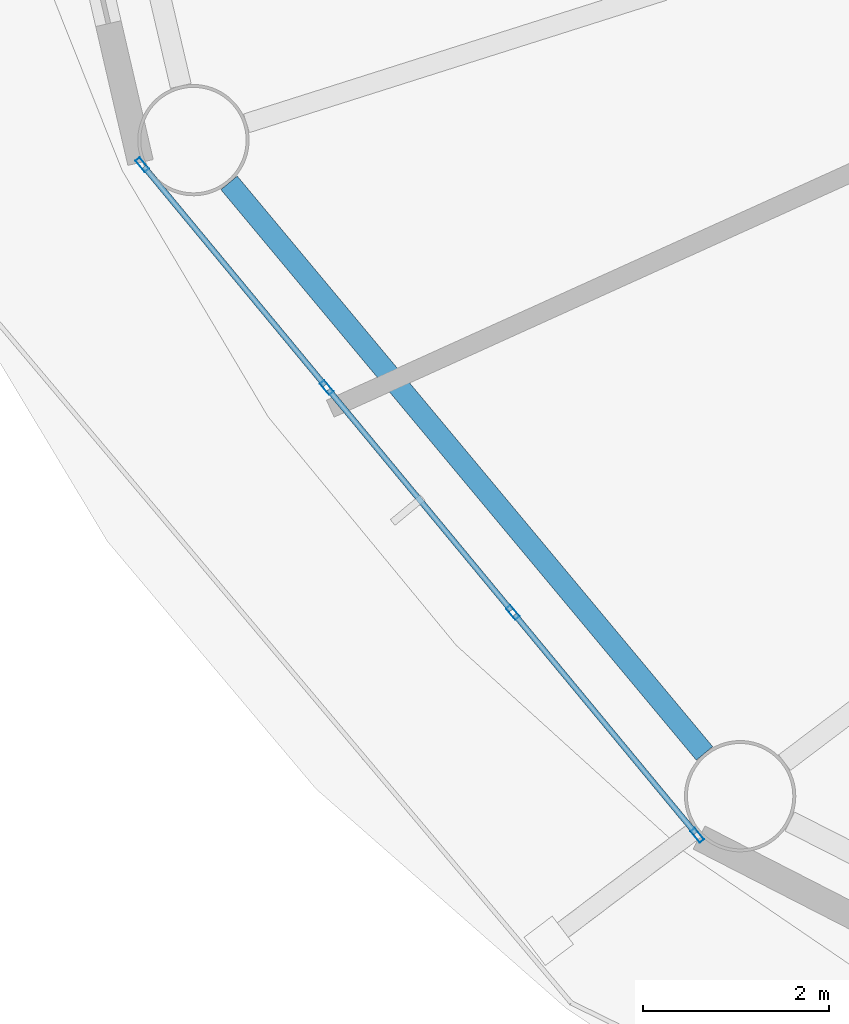
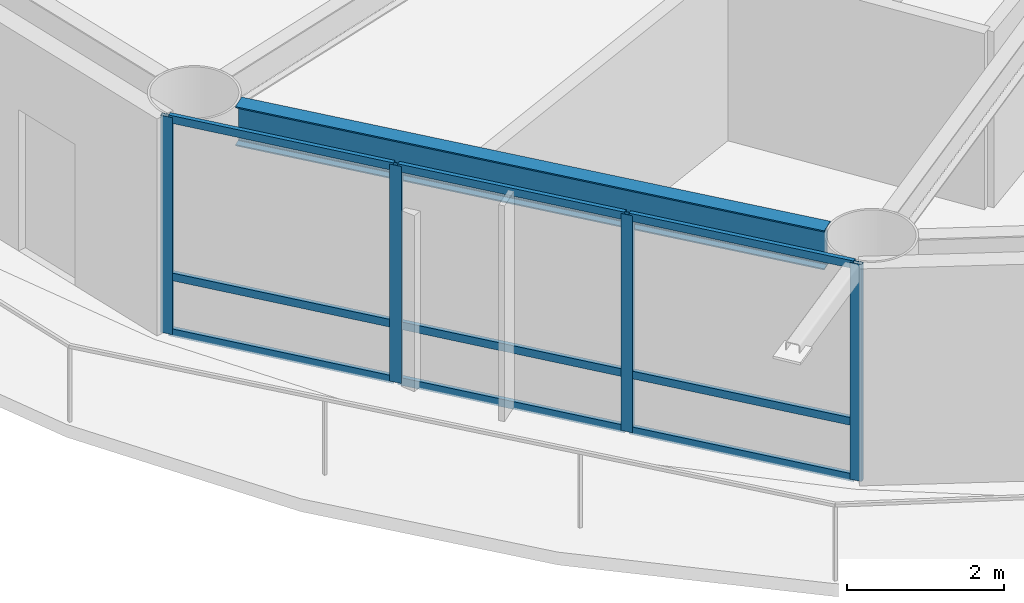
# One storey, part 2 of 24: 13 members, 1 beam, 1 element without a shape of its own.
"""IFC4 building model written with IfcOpenShell, lengths in metres."""

from ifc_helpers import new_model, si_unit, direction, frame, origin, origin_2d, place, context, subcontext, project, spatial, hollow_rectangle, i_section, extrude, material, layer, layer_set, material_profile, profile_set, type_object, element, aggregate, save


model = new_model("IFC4")

# Units and contexts
model_context = context("Model", 3, precision=1e-05, world=origin(), true_north=direction((0.0, 1.0)))
body_context = subcontext(model_context, "Body", "Model", "MODEL_VIEW")
ifc_project = project(units=[si_unit("LENGTHUNIT", "METRE"), si_unit("AREAUNIT", "SQUARE_METRE"), si_unit("VOLUMEUNIT", "CUBIC_METRE"), si_unit("PLANEANGLEUNIT", "RADIAN"), si_unit("MASSUNIT", "GRAM", prefix="KILO")], contexts=[model_context])

# Site, building, storey
site_placement = place(None, origin())
site = spatial("IfcSite", under=ifc_project, at=site_placement, CompositionType="ELEMENT")
building_placement = place(site_placement, origin())
building = spatial("IfcBuilding", under=site, at=building_placement, Name="Sarneth Arch Tower", CompositionType="ELEMENT")
storey_placement = place(building_placement, frame((0.0, 0.0, 116.39990234375)))
storey = spatial("IfcBuildingStorey", under=building, at=storey_placement, Name="L29", CompositionType="ELEMENT", Elevation=116.39990234375)

# Beam
ifc_material_1 = material(Name="Steel S355", Category="steel")
ifc_material_profile_1 = material_profile(ifc_material_1, i_section(OverallWidth=0.22900390625, OverallDepth=0.612060546875, WebThickness=0.011962890625, FlangeThickness=0.01953125, FilletRadius=0.01904296875, at=origin_2d()), Name="W610x125")
ifc_profile_set_1 = profile_set([ifc_material_profile_1], Name="Steel S355")
beam_type = type_object("IfcBeamType", Name="BM-SPAN-610C", PredefinedType="SPANDREL", material=ifc_profile_set_1)
beam_placement = place(storey_placement, frame((22.093017578125, 33.196533203125, 3.07421875), z_axis=(0.640163403463, -0.768238775946, 0.0), x_axis=(0.768238775946, 0.640163403463, 0.0)))
element("IfcBeam", 1, at=beam_placement, inside=storey, type_object=beam_type, Name="L29 Perimeter spandrel beam 10", PredefinedType="SPANDREL", context=body_context, shape_type="SweptSolid", body=[
    extrude(i_section(OverallWidth=0.22900390625, OverallDepth=0.612060546875, WebThickness=0.011962890625, FlangeThickness=0.01953125, FilletRadius=0.01904296875, at=origin_2d()), origin(), (0.0, 0.0, 1.0), 8.006103515625),
])

# Curtain wall, members
ifc_material_2 = material(Name="Anodised aluminium Type AA25 and solar-control low-e laminated IGU", Category="aluminium")
ifc_layer = layer(ifc_material_2, 0.159912109375)
ifc_layer_set = layer_set([ifc_layer], Name="Anodised aluminium Type AA25 and solar-control low-e laminated IGU")
curtain_wall_type = type_object("IfcCurtainWallType", Name="CW-HOTEL-MID", PredefinedType="NOTDEFINED", material=ifc_layer_set)
curtain_wall_placement = place(storey_placement, origin())
curtain_wall = element("IfcCurtainWall", 2, at=curtain_wall_placement, inside=storey, type_object=curtain_wall_type, Name="L29 Unitised curtain wall facet 10", PredefinedType="NOTDEFINED")
ifc_material_3 = material(Name="Anodised Aluminium 6063-T6", Category="aluminium")
ifc_material_profile_2 = material_profile(ifc_material_3, hollow_rectangle(XDim=0.06005859375, YDim=0.159912109375, WallThickness=0.00390625, at=origin_2d()), Name="AL-MULL-160x60x4")
ifc_profile_set_2 = profile_set([ifc_material_profile_2], Name="Anodised Aluminium 6063-T6")
member_type_1 = type_object("IfcMemberType", Name="CW-MULLION", PredefinedType="MULLION", material=ifc_profile_set_2)
member_1_placement = place(storey_placement, frame((21.15771484375, 33.393310546875, 0.0), z_axis=(0.0, 0.0, 1.0), x_axis=(0.770437787363, 0.637515188684, 0.0)))
member_1 = element("IfcMember", 3, at=member_1_placement, type_object=member_type_1, Name="CW-SYS-4 mullion 1", PredefinedType="MULLION", context=body_context, shape_type="SweptSolid", body=[
    extrude(hollow_rectangle(XDim=0.06005859375, YDim=0.159912109375, WallThickness=0.00390625, at=origin_2d()), origin(), (0.0, 0.0, 1.0), 3.380126953125),
])
member_2_placement = place(storey_placement, frame((23.145751953125, 30.99072265625, 0.0), z_axis=(0.0, 0.0, 1.0), x_axis=(0.770437787363, 0.637515188684, 0.0)))
member_2 = element("IfcMember", 4, at=member_2_placement, type_object=member_type_1, Name="CW-SYS-4 mullion 2", PredefinedType="MULLION", context=body_context, shape_type="SweptSolid", body=[
    extrude(hollow_rectangle(XDim=0.06005859375, YDim=0.159912109375, WallThickness=0.00390625, at=origin_2d()), origin(), (0.0, 0.0, 1.0), 3.380126953125),
])
member_3_placement = place(storey_placement, frame((25.15283203125, 28.565185546875, 0.0), z_axis=(0.0, 0.0, 1.0), x_axis=(0.770437787363, 0.637515188684, 0.0)))
member_3 = element("IfcMember", 5, at=member_3_placement, type_object=member_type_1, Name="CW-SYS-4 mullion 3", PredefinedType="MULLION", context=body_context, shape_type="SweptSolid", body=[
    extrude(hollow_rectangle(XDim=0.06005859375, YDim=0.159912109375, WallThickness=0.00390625, at=origin_2d()), origin(), (0.0, 0.0, 1.0), 3.380126953125),
])
member_4_placement = place(storey_placement, frame((27.140869140625, 26.16259765625, 0.0), z_axis=(0.0, 0.0, 1.0), x_axis=(0.770437787363, 0.637515188684, 0.0)))
member_4 = element("IfcMember", 6, at=member_4_placement, type_object=member_type_1, Name="CW-SYS-4 mullion 4", PredefinedType="MULLION", context=body_context, shape_type="SweptSolid", body=[
    extrude(hollow_rectangle(XDim=0.06005859375, YDim=0.159912109375, WallThickness=0.00390625, at=origin_2d()), origin(), (0.0, 0.0, 1.0), 3.380126953125),
])
ifc_material_4 = material(Name="Anodised Aluminium 6063-T6", Category="aluminium")
ifc_material_profile_3 = material_profile(ifc_material_4, hollow_rectangle(XDim=0.06005859375, YDim=0.1201171875, WallThickness=0.00390625, at=origin_2d()), Name="AL-TRAN-120x60x4")
ifc_profile_set_3 = profile_set([ifc_material_profile_3], Name="Anodised Aluminium 6063-T6")
member_type_2 = type_object("IfcMemberType", Name="CW-TRANSOM", PredefinedType="USERDEFINED", material=ifc_profile_set_3)
member_5_placement = place(storey_placement, frame((21.1767578125, 33.3701171875, 0.030029296875), z_axis=(0.637566080343, -0.770395673142, 0.0), x_axis=(0.770395673142, 0.637566080343, 0.0)))
member_5 = element("IfcMember", 7, at=member_5_placement, type_object=member_type_2, Name="CW-SYS-4 transom 1.1", ObjectType="TRANSOM", PredefinedType="USERDEFINED", context=body_context, shape_type="SweptSolid", body=[
    extrude(hollow_rectangle(XDim=0.06005859375, YDim=0.1201171875, WallThickness=0.00390625, at=origin_2d()), origin(), (0.0, 0.0, 1.0), 3.058349609375),
])
member_6_placement = place(storey_placement, frame((21.1767578125, 33.3701171875, 0.900146484375), z_axis=(0.637566080343, -0.770395673142, 0.0), x_axis=(0.770395673142, 0.637566080343, 0.0)))
member_6 = element("IfcMember", 8, at=member_6_placement, type_object=member_type_2, Name="CW-SYS-4 transom 1.2", ObjectType="TRANSOM", PredefinedType="USERDEFINED", context=body_context, shape_type="SweptSolid", body=[
    extrude(hollow_rectangle(XDim=0.06005859375, YDim=0.1201171875, WallThickness=0.00390625, at=origin_2d()), origin(), (0.0, 0.0, 1.0), 3.058349609375),
])
member_7_placement = place(storey_placement, frame((21.1767578125, 33.3701171875, 3.35009765625), z_axis=(0.637566080343, -0.770395673142, 0.0), x_axis=(0.770395673142, 0.637566080343, 0.0)))
member_7 = element("IfcMember", 9, at=member_7_placement, type_object=member_type_2, Name="CW-SYS-4 transom 1.3", ObjectType="TRANSOM", PredefinedType="USERDEFINED", context=body_context, shape_type="SweptSolid", body=[
    extrude(hollow_rectangle(XDim=0.06005859375, YDim=0.1201171875, WallThickness=0.00390625, at=origin_2d()), origin(), (0.0, 0.0, 1.0), 3.058349609375),
])
member_8_placement = place(storey_placement, frame((23.164794921875, 30.9677734375, 0.030029296875), z_axis=(0.637536975021, -0.770419759275, 0.0), x_axis=(0.770419759275, 0.637536975021, 0.0)))
member_8 = element("IfcMember", 10, at=member_8_placement, type_object=member_type_2, Name="CW-SYS-4 transom 2.1", ObjectType="TRANSOM", PredefinedType="USERDEFINED", context=body_context, shape_type="SweptSolid", body=[
    extrude(hollow_rectangle(XDim=0.06005859375, YDim=0.1201171875, WallThickness=0.00390625, at=origin_2d()), origin(), (0.0, 0.0, 1.0), 3.08837890625),
])
member_9_placement = place(storey_placement, frame((23.164794921875, 30.9677734375, 0.900146484375), z_axis=(0.637536975021, -0.770419759275, 0.0), x_axis=(0.770419759275, 0.637536975021, 0.0)))
member_9 = element("IfcMember", 11, at=member_9_placement, type_object=member_type_2, Name="CW-SYS-4 transom 2.2", ObjectType="TRANSOM", PredefinedType="USERDEFINED", context=body_context, shape_type="SweptSolid", body=[
    extrude(hollow_rectangle(XDim=0.06005859375, YDim=0.1201171875, WallThickness=0.00390625, at=origin_2d()), origin(), (0.0, 0.0, 1.0), 3.08837890625),
])
member_10_placement = place(storey_placement, frame((23.164794921875, 30.9677734375, 3.35009765625), z_axis=(0.637536975021, -0.770419759275, 0.0), x_axis=(0.770419759275, 0.637536975021, 0.0)))
member_10 = element("IfcMember", 12, at=member_10_placement, type_object=member_type_2, Name="CW-SYS-4 transom 2.3", ObjectType="TRANSOM", PredefinedType="USERDEFINED", context=body_context, shape_type="SweptSolid", body=[
    extrude(hollow_rectangle(XDim=0.06005859375, YDim=0.1201171875, WallThickness=0.00390625, at=origin_2d()), origin(), (0.0, 0.0, 1.0), 3.08837890625),
])
member_11_placement = place(storey_placement, frame((25.171875, 28.5419921875, 0.030029296875), z_axis=(0.637566080343, -0.770395673142, 0.0), x_axis=(0.770395673142, 0.637566080343, 0.0)))
member_11 = element("IfcMember", 13, at=member_11_placement, type_object=member_type_2, Name="CW-SYS-4 transom 3.1", ObjectType="TRANSOM", PredefinedType="USERDEFINED", context=body_context, shape_type="SweptSolid", body=[
    extrude(hollow_rectangle(XDim=0.06005859375, YDim=0.1201171875, WallThickness=0.00390625, at=origin_2d()), origin(), (0.0, 0.0, 1.0), 3.058349609375),
])
member_12_placement = place(storey_placement, frame((25.171875, 28.5419921875, 0.900146484375), z_axis=(0.637566080343, -0.770395673142, 0.0), x_axis=(0.770395673142, 0.637566080343, 0.0)))
member_12 = element("IfcMember", 14, at=member_12_placement, type_object=member_type_2, Name="CW-SYS-4 transom 3.2", ObjectType="TRANSOM", PredefinedType="USERDEFINED", context=body_context, shape_type="SweptSolid", body=[
    extrude(hollow_rectangle(XDim=0.06005859375, YDim=0.1201171875, WallThickness=0.00390625, at=origin_2d()), origin(), (0.0, 0.0, 1.0), 3.058349609375),
])
member_13_placement = place(storey_placement, frame((25.171875, 28.5419921875, 3.35009765625), z_axis=(0.637566080343, -0.770395673142, 0.0), x_axis=(0.770395673142, 0.637566080343, 0.0)))
member_13 = element("IfcMember", 15, at=member_13_placement, type_object=member_type_2, Name="CW-SYS-4 transom 3.3", ObjectType="TRANSOM", PredefinedType="USERDEFINED", context=body_context, shape_type="SweptSolid", body=[
    extrude(hollow_rectangle(XDim=0.06005859375, YDim=0.1201171875, WallThickness=0.00390625, at=origin_2d()), origin(), (0.0, 0.0, 1.0), 3.058349609375),
])
aggregate(curtain_wall, [member_1, member_2, member_3, member_4, member_5, member_6, member_7, member_8, member_9, member_10, member_11, member_12, member_13])

save(model, "model.ifc")
